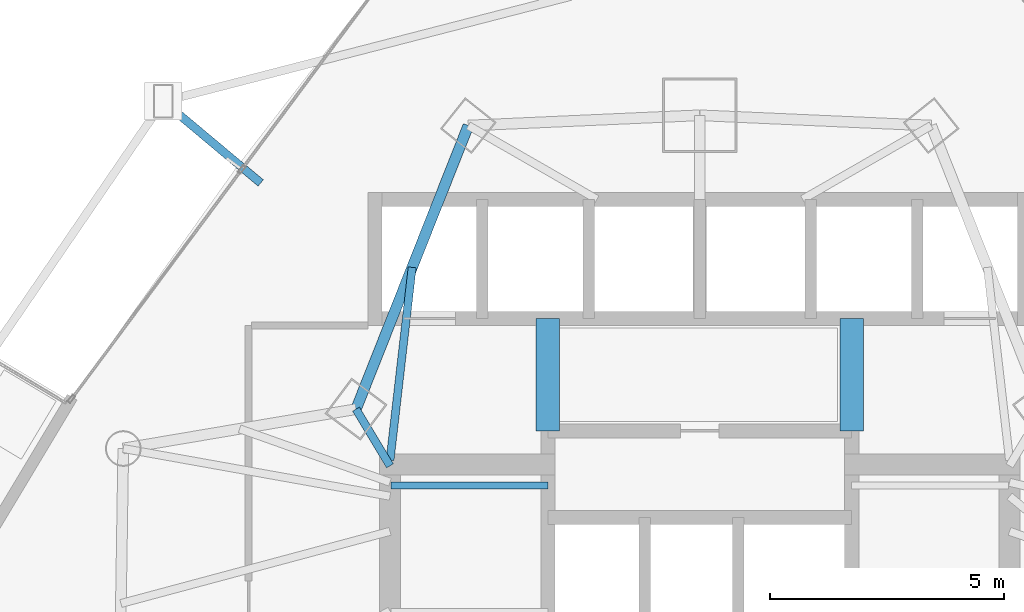
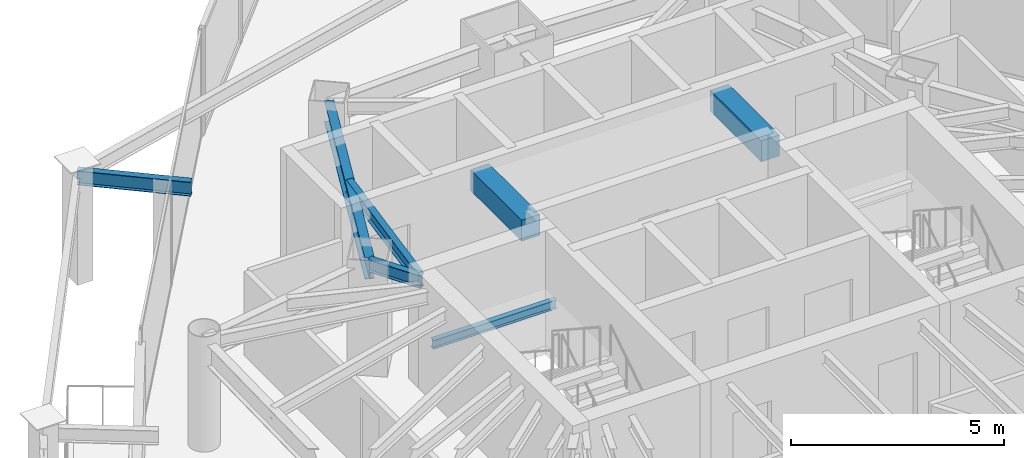
# One storey, part 21 of 34: 7 beams.
"""IFC4 building model written with IfcOpenShell, lengths in metres."""

from ifc_helpers import new_model, si_unit, direction, frame, origin, origin_2d, place, context, subcontext, project, spatial, rectangle, i_section, extrude, material, material_profile, profile_set, type_object, element, save


model = new_model("IFC4")

# Units and contexts
model_context = context("Model", 3, precision=1e-05, world=origin(), true_north=direction((0.0, 1.0)))
body_context = subcontext(model_context, "Body", "Model", "MODEL_VIEW")
ifc_project = project(units=[si_unit("LENGTHUNIT", "METRE"), si_unit("AREAUNIT", "SQUARE_METRE"), si_unit("VOLUMEUNIT", "CUBIC_METRE"), si_unit("PLANEANGLEUNIT", "RADIAN"), si_unit("MASSUNIT", "GRAM", prefix="KILO")], contexts=[model_context])

# Site, building, storey
site_placement = place(None, origin())
site = spatial("IfcSite", under=ifc_project, at=site_placement, CompositionType="ELEMENT")
building_placement = place(site_placement, origin())
building = spatial("IfcBuilding", under=site, at=building_placement, Name="Orvanel Arch Residences", CompositionType="ELEMENT")
storey_placement = place(building_placement, frame((0.0, 0.0, 80.75)))
storey = spatial("IfcBuildingStorey", under=building, at=storey_placement, Name="L22", CompositionType="ELEMENT", Elevation=80.75)

# Beams
ifc_material_1 = material(Name="Structural steel AS/NZS 3679.1 Grade 300 (300 MPa)", Category="steel")
ifc_material_profile_1 = material_profile(ifc_material_1, i_section(OverallWidth=0.14599609375, OverallDepth=0.251953125, WebThickness=0.006103515625, FlangeThickness=0.008544921875, at=origin_2d()), Name="250UB31.4")
ifc_profile_set_1 = profile_set([ifc_material_profile_1], Name="Structural steel AS/NZS 3679.1 Grade 300 (300 MPa)")
beam_type_1 = type_object("IfcBeamType", Name="BJ-250UB", PredefinedType="JOIST", material=ifc_profile_set_1)
beam_1_placement = place(storey_placement, frame((26.39990234375, 33.47998046875, 1.323974609375), z_axis=(1.0, 0.0, 0.0), x_axis=(0.0, 1.0, 0.0)))
element("IfcBeam", 1, at=beam_1_placement, inside=storey, type_object=beam_type_1, Name="L22 ST-1 Half-Landing Support Beam 1.2", PredefinedType="JOIST", context=body_context, shape_type="SweptSolid", body=[
    extrude(i_section(OverallWidth=0.14599609375, OverallDepth=0.251953125, WebThickness=0.006103515625, FlangeThickness=0.008544921875, at=origin_2d()), origin(), (0.0, 0.0, 1.0), 3.35009765625),
])
ifc_material_profile_2 = material_profile(ifc_material_1, i_section(OverallWidth=0.1708984375, OverallDepth=0.35595703125, WebThickness=0.00732421875, FlangeThickness=0.011474609375, at=origin_2d()), Name="360UB50.7")
ifc_profile_set_2 = profile_set([ifc_material_profile_2], Name="Structural steel AS/NZS 3679.1 Grade 300 (300 MPa)")
beam_type_2 = type_object("IfcBeamType", Name="BJ-360UB", PredefinedType="JOIST", material=ifc_profile_set_2)
beam_2_placement = place(storey_placement, frame((26.375, 33.89990234375, 2.882080078125), z_axis=(-0.514064138778, 0.857751748015, 0.0), x_axis=(-0.857751748015, -0.514064138778, 0.0)))
element("IfcBeam", 2, at=beam_2_placement, inside=storey, type_object=beam_type_2, Name="L22 NNW Wing Floor Joist", PredefinedType="JOIST", context=body_context, shape_type="SweptSolid", body=[
    extrude(i_section(OverallWidth=0.1708984375, OverallDepth=0.35595703125, WebThickness=0.00732421875, FlangeThickness=0.011474609375, at=origin_2d()), origin(), (0.0, 0.0, 1.0), 1.414306640625),
])
beam_3_placement = place(storey_placement, frame((26.375, 34.02001953125, 2.882080078125), z_axis=(0.114186670431, 0.993459311847, 0.0), x_axis=(-0.993459311847, 0.114186670431, 0.0)))
element("IfcBeam", 3, at=beam_3_placement, inside=storey, type_object=beam_type_2, Name="L22 NNW2 Wing Floor Joist", PredefinedType="JOIST", context=body_context, shape_type="SweptSolid", body=[
    extrude(i_section(OverallWidth=0.1708984375, OverallDepth=0.35595703125, WebThickness=0.00732421875, FlangeThickness=0.011474609375, at=origin_2d()), origin(), (0.0, 0.0, 1.0), 4.152099609375),
])
ifc_material_2 = material(Name="Concrete S65 (65 MPa)", Category="concrete")
ifc_material_profile_3 = material_profile(ifc_material_2, rectangle(XDim=0.5, YDim=0.60009765625, at=origin_2d()), Name="RC500x600")
ifc_profile_set_3 = profile_set([ifc_material_profile_3], Name="Concrete S65 (65 MPa)")
beam_type_3 = type_object("IfcBeamType", Name="CB-500x600", PredefinedType="LINTEL", material=ifc_profile_set_3)
for number, where, z_axis, x_axis, name in (
    (4, (29.75, 34.64990234375, 2.760009765625), (0.0, 1.0, 0.0), (-1.0, 0.0, 0.0), "L22 West Core Lobby Coupling Lintel Beam"),
    (5, (36.25, 34.64990234375, 2.760009765625), (0.0, 1.0, 0.0), (-1.0, 0.0, 0.0), "L22 East Core Lobby Coupling Lintel Beam"),
):
    element("IfcBeam", number, at=place(storey_placement, frame(where, z_axis=z_axis, x_axis=x_axis)), inside=storey, type_object=beam_type_3, Name=name, PredefinedType="LINTEL", context=body_context, shape_type="SweptSolid", body=[
        extrude(rectangle(XDim=0.5, YDim=0.60009765625, at=origin_2d()), origin(), (0.0, 0.0, 1.0), 2.400146484375),
    ])
ifc_material_profile_4 = material_profile(ifc_material_1, i_section(OverallWidth=0.177978515625, OverallDepth=0.406005859375, WebThickness=0.0078125, FlangeThickness=0.0126953125, at=origin_2d()), Name="410UB59.7")
ifc_profile_set_4 = profile_set([ifc_material_profile_4], Name="Structural steel AS/NZS 3679.1 Grade 300 (300 MPa)")
beam_type_4 = type_object("IfcBeamType", Name="OB-410UB-EXT", PredefinedType="SPANDREL", material=ifc_profile_set_4)
beam_4_placement = place(storey_placement, frame((23.60888671875, 39.950927734375, 2.85693359375), z_axis=(-0.766687755937, 0.64202015926, 0.0), x_axis=(-0.64202015926, -0.766687755937, 0.0)))
element("IfcBeam", 6, at=beam_4_placement, inside=storey, type_object=beam_type_4, Name="L22 Outer Frame Radial Tie Beam 01", PredefinedType="SPANDREL", context=body_context, shape_type="SweptSolid", body=[
    extrude(i_section(OverallWidth=0.177978515625, OverallDepth=0.406005859375, WebThickness=0.0078125, FlangeThickness=0.0126953125, at=origin_2d()), origin(), (0.0, 0.0, 1.0), 2.71826171875),
])
ifc_material_profile_5 = material_profile(ifc_material_1, i_section(OverallWidth=0.22900390625, OverallDepth=0.612060546875, WebThickness=0.011962890625, FlangeThickness=0.01953125, at=origin_2d()), Name="610UB125")
ifc_profile_set_5 = profile_set([ifc_material_profile_5], Name="Structural steel AS/NZS 3679.1 Grade 300 (300 MPa)")
beam_type_5 = type_object("IfcBeamType", Name="SP-610UB", PredefinedType="SPANDREL", material=ifc_profile_set_5)
beam_5_placement = place(storey_placement, frame((28.050048828125, 41.177978515625, 2.75390625), z_axis=(-0.368233143579, -0.929733484376, 0.0), x_axis=(0.929733484376, -0.368233143579, 0.0)))
element("IfcBeam", 7, at=beam_5_placement, inside=storey, type_object=beam_type_5, Name="L22 Perimeter Spandrel Beam 18", PredefinedType="SPANDREL", context=body_context, shape_type="SweptSolid", body=[
    extrude(i_section(OverallWidth=0.22900390625, OverallDepth=0.612060546875, WebThickness=0.011962890625, FlangeThickness=0.01953125, at=origin_2d()), origin(), (0.0, 0.0, 1.0), 6.523193359375),
])

save(model, "model.ifc")
